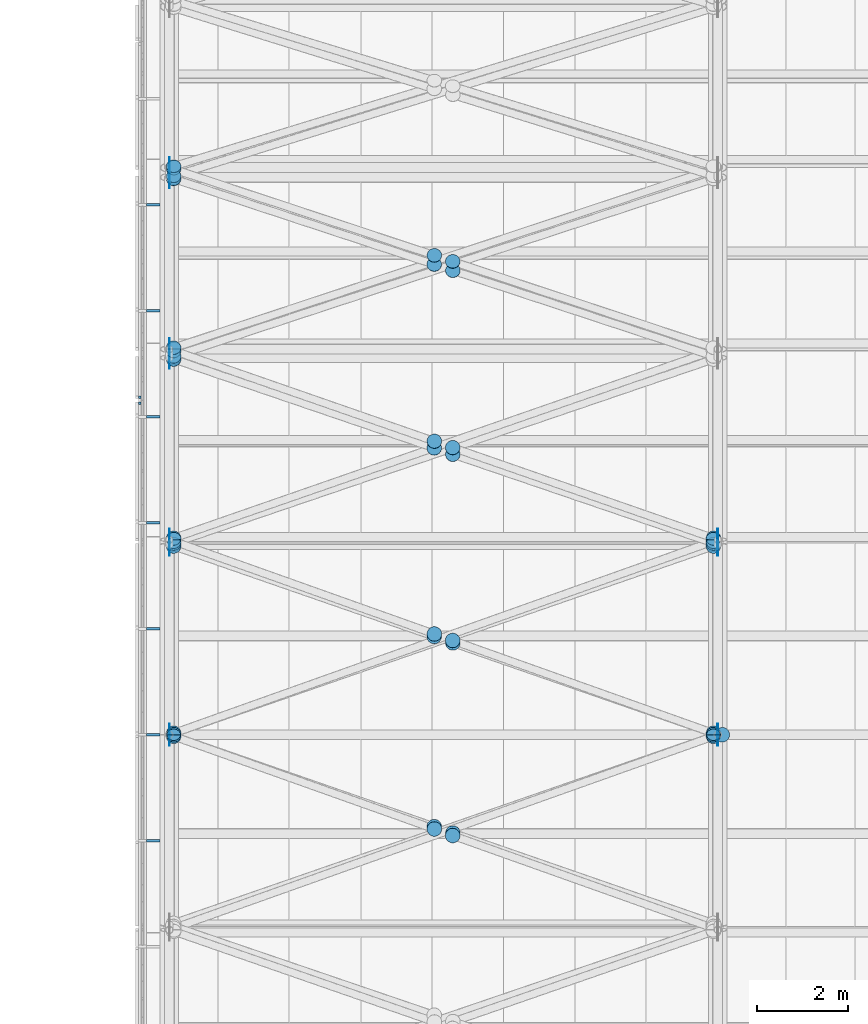
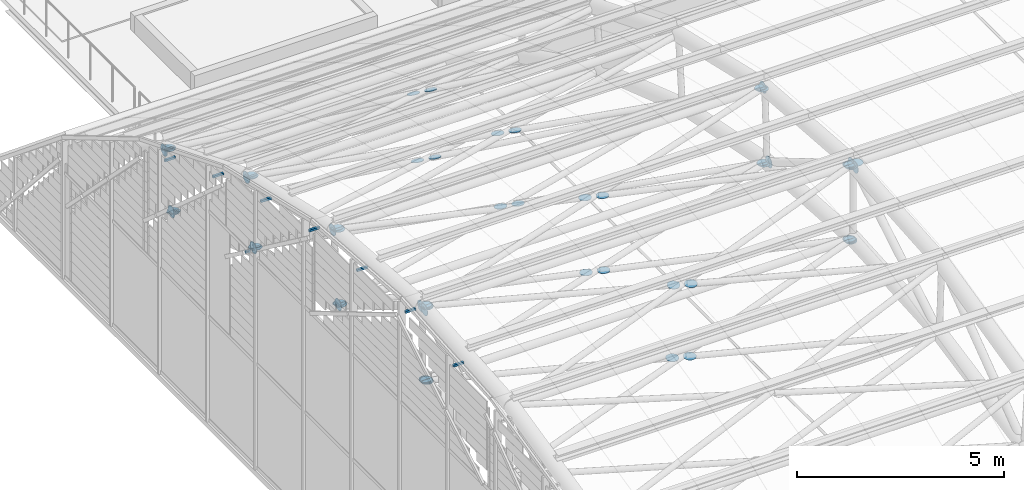
# One storey, part 89 of 110: 74 discrete accessories, 1 element without a shape of its own.
"""IFC4 building model written with IfcOpenShell, lengths in metres."""

from ifc_helpers import new_model, si_unit, direction, frame, origin, origin_2d, place, context, subcontext, project, spatial, rectangle, circle, extrude, material, layer, layer_set, type_object, element, aggregate, save


model = new_model("IFC4")

# Units and contexts
model_context = context("Model", 3, precision=1e-05, world=origin(), true_north=direction((0.0, 1.0)))
body_context = subcontext(model_context, "Body", "Model", "MODEL_VIEW")
ifc_project = project(units=[si_unit("LENGTHUNIT", "METRE"), si_unit("AREAUNIT", "SQUARE_METRE"), si_unit("VOLUMEUNIT", "CUBIC_METRE"), si_unit("PLANEANGLEUNIT", "RADIAN"), si_unit("MASSUNIT", "GRAM", prefix="KILO")], contexts=[model_context])

# Site, building, storey
site_placement = place(None, origin())
site = spatial("IfcSite", under=ifc_project, at=site_placement, CompositionType="ELEMENT")
building_placement = place(site_placement, origin())
building = spatial("IfcBuilding", under=site, at=building_placement, Name="Windward Yard Aquatics Centre", CompositionType="ELEMENT")
storey_placement = place(building_placement, frame((0.0, 0.0, 22.60009765625)))
storey = spatial("IfcBuildingStorey", under=building, at=storey_placement, Name="L05", CompositionType="ELEMENT", Elevation=22.60009765625)

# Discrete accessories
ifc_material_1 = material(Name="Steel S355", Category="steel")
ifc_layer_1 = layer(ifc_material_1, 0.011962890625)
ifc_layer_set_1 = layer_set([ifc_layer_1], Name="Gusset plate 320 mm disc 12 mm")
discrete_accessory_type = type_object("IfcDiscreteAccessoryType", Name="Gusset plate 320 mm disc 12 mm", PredefinedType="USERDEFINED", material=ifc_layer_set_1)
for number, where, z_axis, x_axis, name in (
    (1, (59.993896484375, 60.9140625, 8.74560546875), (1.0, 0.0, 0.0), (0.0, 1.0, 0.0), "Gusset plate"),
    (2, (59.993896484375, 61.0859375, 8.74560546875), (1.0, 0.0, 0.0), (0.0, 1.0, 0.0), "Gusset plate"),
    (3, (59.993896484375, 65.07470703125, 6.374755859375), (1.0, 0.0, 0.0), (0.0, 1.0, 0.0), "Gusset plate"),
    (4, (59.993896484375, 65.3486328125, 8.41015625), (1.0, 0.0, 0.0), (0.0, 1.0, 0.0), "Gusset plate"),
    (5, (59.993896484375, 69.16943359375, 5.568603515625), (1.0, 0.0, 0.0), (0.0, 1.0, 0.0), "Gusset plate"),
    (6, (59.993896484375, 69.51220703125, 7.4306640625), (1.0, 0.0, 0.0), (0.0, 1.0, 0.0), "Gusset plate"),
    (7, (59.993896484375, 73.122314453125, 4.23291015625), (1.0, 0.0, 0.0), (0.0, 1.0, 0.0), "Gusset plate"),
    (8, (59.993896484375, 73.479736328125, 5.8291015625), (1.0, 0.0, 0.0), (0.0, 1.0, 0.0), "Gusset plate"),
    (9, (71.993896484375, 60.9140625, 8.74560546875), (1.0, 0.0, 0.0), (0.0, 1.0, 0.0), "Gusset plate"),
    (10, (71.993896484375, 61.0859375, 8.74560546875), (1.0, 0.0, 0.0), (0.0, 1.0, 0.0), "Gusset plate"),
    (11, (71.993896484375, 65.07470703125, 6.374755859375), (1.0, 0.0, 0.0), (0.0, 1.0, 0.0), "Gusset plate"),
    (12, (71.993896484375, 65.3486328125, 8.41015625), (1.0, 0.0, 0.0), (0.0, 1.0, 0.0), "Gusset plate"),
):
    element("IfcDiscreteAccessory", number, at=place(storey_placement, frame(where, z_axis=z_axis, x_axis=x_axis)), inside=storey, type_object=discrete_accessory_type, Name=name, ObjectType="GUSSET PLATE", PredefinedType="USERDEFINED", context=body_context, shape_type="SweptSolid", body=[
        extrude(circle(Radius=0.159912109375, at=origin_2d()), origin(), (0.0, 0.0, 1.0), 0.01220703125),
    ])
for number, where, z_axis, x_axis, name in (
    (13, (60.10009765625, 61.0, 8.790771484375), (0.0, 0.0, 1.0), (1.0, 0.0, 0.0), "Gusset plate"),
    (14, (71.89990234375, 61.0, 8.790771484375), (0.0, 0.0, 1.0), (1.0, 0.0, 0.0), "Gusset plate"),
    (15, (60.10009765625, 65.2685546875, 8.4638671875), (0.0, 0.0, 1.0), (1.0, 0.0, 0.0), "Gusset plate"),
    (16, (71.89990234375, 65.2685546875, 8.4638671875), (0.0, 0.0, 1.0), (1.0, 0.0, 0.0), "Gusset plate"),
):
    element("IfcDiscreteAccessory", number, at=place(storey_placement, frame(where, z_axis=z_axis, x_axis=x_axis)), inside=storey, type_object=discrete_accessory_type, Name=name, ObjectType="GUSSET PLATE", PredefinedType="USERDEFINED", context=body_context, shape_type="SweptSolid", body=[
        extrude(circle(Radius=0.159912109375, at=origin_2d()), origin(), (0.0, 0.0, 1.0), 0.011962890625),
    ])
discrete_accessory_1_placement = place(storey_placement, frame((60.10009765625, 69.4375, 7.49072265625), z_axis=(0.0, 0.0, 1.0), x_axis=(1.0, 0.0, 0.0)))
element("IfcDiscreteAccessory", 17, at=discrete_accessory_1_placement, inside=storey, type_object=discrete_accessory_type, Name="Gusset plate", ObjectType="GUSSET PLATE", PredefinedType="USERDEFINED", context=body_context, shape_type="SweptSolid", body=[
    extrude(circle(Radius=0.159912109375, at=origin_2d()), origin(), (0.0, 0.0, 1.0), 0.01220703125),
])
for number, where, z_axis, x_axis, name in (
    (18, (60.10009765625, 73.40966796875, 5.89453125), (0.0, 0.0, 1.0), (1.0, 0.0, 0.0), "Gusset plate"),
    (19, (71.90576171875, 60.966064453125, 8.800048828125), (0.0, 0.081362009455, -0.996684615823), (-1.0, 0.0, 0.0), "Gusset plate"),
    (20, (60.09423828125, 60.966064453125, 8.800048828125), (0.0, 0.081362009455, -0.996684615823), (-1.0, 0.0, 0.0), "Gusset plate"),
    (21, (65.79931640625, 58.9365234375, 8.644775390625), (0.0, 0.081362009455, -0.996684615823), (-1.0, 0.0, 0.0), "Gusset plate"),
    (22, (66.20068359375, 58.7939453125, 8.6337890625), (0.0, 0.081362009455, -0.996684615823), (-1.0, 0.0, 0.0), "Gusset plate"),
    (23, (60.09423828125, 61.033935546875, 8.800048828125), (0.0, -0.081362009455, -0.996684615823), (1.0, 0.0, 0.0), "Gusset plate"),
    (24, (71.90576171875, 65.2353515625, 8.478271484375), (0.0, -0.06111006328, -0.998131033565), (1.0, 0.0, 0.0), "Gusset plate"),
    (25, (60.09423828125, 65.2353515625, 8.478271484375), (0.0, -0.06111006328, -0.998131033565), (1.0, 0.0, 0.0), "Gusset plate"),
    (26, (65.79931640625, 63.2060546875, 8.6337890625), (0.0, -0.081362009455, -0.996684615823), (1.0, 0.0, 0.0), "Gusset plate"),
    (27, (66.20068359375, 63.0634765625, 8.644775390625), (0.0, -0.081362009455, -0.996684615823), (1.0, 0.0, 0.0), "Gusset plate"),
    (28, (71.90576171875, 61.033935546875, 8.800048828125), (0.0, -0.081362009455, -0.996684615823), (1.0, 0.0, 0.0), "Gusset plate"),
    (29, (60.09423828125, 65.302490234375, 8.468017578125), (0.0, -0.223376156329, -0.974732318528), (1.0, 0.0, 0.0), "Gusset plate"),
    (30, (60.09423828125, 69.406005859375, 7.51025390625), (0.0, -0.223376156329, -0.974732318528), (1.0, 0.0, 0.0), "Gusset plate"),
    (31, (65.79931640625, 67.424072265625, 7.972900390625), (0.0, -0.223376156329, -0.974732318528), (1.0, 0.0, 0.0), "Gusset plate"),
    (32, (66.20068359375, 67.28466796875, 8.00537109375), (0.0, -0.223376156329, -0.974732318528), (1.0, 0.0, 0.0), "Gusset plate"),
    (33, (71.90576171875, 65.302490234375, 8.468017578125), (0.0, -0.223376156329, -0.974732318528), (1.0, 0.0, 0.0), "Gusset plate"),
):
    element("IfcDiscreteAccessory", number, at=place(storey_placement, frame(where, z_axis=z_axis, x_axis=x_axis)), inside=storey, type_object=discrete_accessory_type, Name=name, ObjectType="GUSSET PLATE", PredefinedType="USERDEFINED", context=body_context, shape_type="SweptSolid", body=[
        extrude(circle(Radius=0.159912109375, at=origin_2d()), origin(), (0.0, 0.0, 1.0), 0.011962890625),
    ])
discrete_accessory_2_placement = place(storey_placement, frame((60.09423828125, 69.470947265625, 7.489990234375), z_axis=(0.0, -0.38176015442, -0.92426142649), x_axis=(1.0, 0.0, 0.0)))
element("IfcDiscreteAccessory", 34, at=discrete_accessory_2_placement, inside=storey, type_object=discrete_accessory_type, Name="Gusset plate", ObjectType="GUSSET PLATE", PredefinedType="USERDEFINED", context=body_context, shape_type="SweptSolid", body=[
    extrude(circle(Radius=0.159912109375, at=origin_2d()), origin(), (0.0, 0.0, 1.0), 0.01220703125),
])
for number, where, z_axis, x_axis, name in (
    (35, (60.09423828125, 73.380615234375, 5.91845703125), (0.0, -0.371390676354, -0.928476690885), (1.0, 0.0, 0.0), "Gusset plate"),
    (36, (65.79931640625, 71.4921875, 6.677490234375), (0.0, -0.371390676354, -0.928476690885), (1.0, 0.0, 0.0), "Gusset plate"),
):
    element("IfcDiscreteAccessory", number, at=place(storey_placement, frame(where, z_axis=z_axis, x_axis=x_axis)), inside=storey, type_object=discrete_accessory_type, Name=name, ObjectType="GUSSET PLATE", PredefinedType="USERDEFINED", context=body_context, shape_type="SweptSolid", body=[
        extrude(circle(Radius=0.159912109375, at=origin_2d()), origin(), (0.0, 0.0, 1.0), 0.01171875),
    ])
for number, where, z_axis, x_axis, name in (
    (37, (66.20068359375, 71.359375, 6.73095703125), (0.0, -0.364399348581, -0.931242779706), (1.0, 0.0, 0.0), "Gusset plate"),
    (38, (60.09423828125, 73.441650390625, 5.888427734375), (0.0, -0.511483859768, -0.85929288441), (1.0, 0.0, 0.0), "Gusset plate"),
    (39, (60.10009765625, 61.0, 6.5908203125), (0.0, 0.0, 1.0), (1.0, 0.0, 0.0), "Gusset plate"),
    (40, (71.89990234375, 61.0, 6.5908203125), (0.0, 0.0, 1.0), (1.0, 0.0, 0.0), "Gusset plate"),
    (41, (60.10009765625, 65.16064453125, 6.317626953125), (0.0, 0.0, 1.0), (1.0, 0.0, 0.0), "Gusset plate"),
    (42, (71.89990234375, 65.16064453125, 6.317626953125), (0.0, 0.0, 1.0), (1.0, 0.0, 0.0), "Gusset plate"),
    (43, (60.10009765625, 69.249755859375, 5.5029296875), (0.0, 0.0, 1.0), (1.0, 0.0, 0.0), "Gusset plate"),
):
    element("IfcDiscreteAccessory", number, at=place(storey_placement, frame(where, z_axis=z_axis, x_axis=x_axis)), inside=storey, type_object=discrete_accessory_type, Name=name, ObjectType="GUSSET PLATE", PredefinedType="USERDEFINED", context=body_context, shape_type="SweptSolid", body=[
        extrude(circle(Radius=0.159912109375, at=origin_2d()), origin(), (0.0, 0.0, 1.0), 0.011962890625),
    ])
discrete_accessory_3_placement = place(storey_placement, frame((60.10009765625, 73.197265625, 4.160400390625), z_axis=(0.0, 0.0, 1.0), x_axis=(1.0, 0.0, 0.0)))
element("IfcDiscreteAccessory", 44, at=discrete_accessory_3_placement, inside=storey, type_object=discrete_accessory_type, Name="Gusset plate", ObjectType="GUSSET PLATE", PredefinedType="USERDEFINED", context=body_context, shape_type="SweptSolid", body=[
    extrude(circle(Radius=0.159912109375, at=origin_2d()), origin(), (0.0, 0.0, 1.0), 0.01220703125),
])
for number, where, z_axis, x_axis, name in (
    (45, (71.905517578125, 60.966796875, 6.6005859375), (0.0, 0.06111006328, -0.998131033565), (-1.0, 0.0, 0.0), "Gusset plate"),
    (46, (60.094482421875, 60.966796875, 6.6005859375), (0.0, 0.06111006328, -0.998131033565), (-1.0, 0.0, 0.0), "Gusset plate"),
    (47, (65.796142578125, 58.989990234375, 6.470703125), (0.0, 0.06111006328, -0.998131033565), (-1.0, 0.0, 0.0), "Gusset plate"),
    (48, (66.203857421875, 58.8486328125, 6.46142578125), (0.0, 0.06111006328, -0.998131033565), (-1.0, 0.0, 0.0), "Gusset plate"),
    (49, (60.094482421875, 61.033203125, 6.6005859375), (0.0, -0.06111006328, -0.998131033565), (1.0, 0.0, 0.0), "Gusset plate"),
    (50, (71.905517578125, 65.128173828125, 6.331787109375), (0.0, -0.06111006328, -0.998131033565), (1.0, 0.0, 0.0), "Gusset plate"),
    (51, (60.094482421875, 65.128173828125, 6.331787109375), (0.0, -0.06111006328, -0.998131033565), (1.0, 0.0, 0.0), "Gusset plate"),
    (52, (65.796142578125, 63.1513671875, 6.46142578125), (0.0, -0.06111006328, -0.998131033565), (1.0, 0.0, 0.0), "Gusset plate"),
    (53, (66.203857421875, 63.010009765625, 6.470703125), (0.0, -0.06111006328, -0.998131033565), (1.0, 0.0, 0.0), "Gusset plate"),
    (54, (71.905517578125, 61.033203125, 6.6005859375), (0.0, -0.06111006328, -0.998131033565), (1.0, 0.0, 0.0), "Gusset plate"),
    (55, (60.094482421875, 65.19384765625, 6.322998046875), (0.0, -0.18428853505, -0.982872186934), (1.0, 0.0, 0.0), "Gusset plate"),
):
    element("IfcDiscreteAccessory", number, at=place(storey_placement, frame(where, z_axis=z_axis, x_axis=x_axis)), inside=storey, type_object=discrete_accessory_type, Name=name, ObjectType="GUSSET PLATE", PredefinedType="USERDEFINED", context=body_context, shape_type="SweptSolid", body=[
        extrude(circle(Radius=0.159912109375, at=origin_2d()), origin(), (0.0, 0.0, 1.0), 0.011962890625),
    ])
discrete_accessory_4_placement = place(storey_placement, frame((60.094482421875, 69.21875, 5.521240234375), z_axis=(0.0, -0.199960011996, -0.97980405878), x_axis=(1.0, 0.0, 0.0)))
element("IfcDiscreteAccessory", 56, at=discrete_accessory_4_placement, inside=storey, type_object=discrete_accessory_type, Name="Gusset plate", ObjectType="GUSSET PLATE", PredefinedType="USERDEFINED", context=body_context, shape_type="SweptSolid", body=[
    extrude(circle(Radius=0.159912109375, at=origin_2d()), origin(), (0.0, 0.0, 1.0), 0.01220703125),
])
discrete_accessory_5_placement = place(storey_placement, frame((65.796142578125, 67.275634765625, 5.908203125), z_axis=(0.0, -0.18428853505, -0.982872186934), x_axis=(1.0, 0.0, 0.0)))
element("IfcDiscreteAccessory", 57, at=discrete_accessory_5_placement, inside=storey, type_object=discrete_accessory_type, Name="Gusset plate", ObjectType="GUSSET PLATE", PredefinedType="USERDEFINED", context=body_context, shape_type="SweptSolid", body=[
    extrude(circle(Radius=0.159912109375, at=origin_2d()), origin(), (0.0, 0.0, 1.0), 0.011962890625),
])
discrete_accessory_6_placement = place(storey_placement, frame((66.203857421875, 67.136962890625, 5.93603515625), z_axis=(0.0, -0.199960011996, -0.97980405878), x_axis=(1.0, 0.0, 0.0)))
element("IfcDiscreteAccessory", 58, at=discrete_accessory_6_placement, inside=storey, type_object=discrete_accessory_type, Name="Gusset plate", ObjectType="GUSSET PLATE", PredefinedType="USERDEFINED", context=body_context, shape_type="SweptSolid", body=[
    extrude(circle(Radius=0.159912109375, at=origin_2d()), origin(), (0.0, 0.0, 1.0), 0.01220703125),
])
for number, where, z_axis, x_axis, name in (
    (59, (71.905517578125, 65.19384765625, 6.322998046875), (0.0, -0.18428853505, -0.982872186934), (1.0, 0.0, 0.0), "Gusset plate"),
    (60, (60.094482421875, 69.28271484375, 5.50390625), (0.0, -0.328520624941, -0.944496796706), (1.0, 0.0, 0.0), "Gusset plate"),
    (61, (60.094482421875, 73.16796875, 4.182861328125), (0.0, -0.304040173793, -0.952659211219), (1.0, 0.0, 0.0), "Gusset plate"),
    (62, (65.796142578125, 71.29248046875, 4.820556640625), (0.0, -0.328520624941, -0.944496796706), (1.0, 0.0, 0.0), "Gusset plate"),
):
    element("IfcDiscreteAccessory", number, at=place(storey_placement, frame(where, z_axis=z_axis, x_axis=x_axis)), inside=storey, type_object=discrete_accessory_type, Name=name, ObjectType="GUSSET PLATE", PredefinedType="USERDEFINED", context=body_context, shape_type="SweptSolid", body=[
        extrude(circle(Radius=0.159912109375, at=origin_2d()), origin(), (0.0, 0.0, 1.0), 0.011962890625),
    ])
for number, where, z_axis, x_axis, name in (
    (63, (66.203857421875, 71.158447265625, 4.8662109375), (0.0, -0.322263797804, -0.94664990605), (1.0, 0.0, 0.0), "Gusset plate"),
    (64, (60.094482421875, 73.229248046875, 4.157470703125), (0.0, -0.439210132005, -0.898384360919), (1.0, 0.0, 0.0), "Gusset plate"),
):
    element("IfcDiscreteAccessory", number, at=place(storey_placement, frame(where, z_axis=z_axis, x_axis=x_axis)), inside=storey, type_object=discrete_accessory_type, Name=name, ObjectType="GUSSET PLATE", PredefinedType="USERDEFINED", context=body_context, shape_type="SweptSolid", body=[
        extrude(circle(Radius=0.159912109375, at=origin_2d()), origin(), (0.0, 0.0, 1.0), 0.01220703125),
    ])
discrete_accessory_7_placement = place(storey_placement, frame((72.10009765625, 61.0, 8.790771484375), z_axis=(0.0, 0.0, 1.0), x_axis=(1.0, 0.0, 0.0)))
element("IfcDiscreteAccessory", 65, at=discrete_accessory_7_placement, inside=storey, type_object=discrete_accessory_type, Name="Gusset plate", ObjectType="GUSSET PLATE", PredefinedType="USERDEFINED", context=body_context, shape_type="SweptSolid", body=[
    extrude(circle(Radius=0.159912109375, at=origin_2d()), origin(), (0.0, 0.0, 1.0), 0.011962890625),
])

# Curtain wall, discrete accessories
ifc_material_2 = material(Name="Glass and aluminium curtain wall", Category="aluminium")
ifc_layer_2 = layer(ifc_material_2, 0.179931640625)
ifc_layer_set_2 = layer_set([ifc_layer_2], Name="H gable glazing system double glazed 8+16+8")
curtain_wall_type = type_object("IfcCurtainWallType", Name="H gable glazing system double glazed 8+16+8", PredefinedType="NOTDEFINED", material=ifc_layer_set_2)
curtain_wall_placement = place(storey_placement, origin())
curtain_wall = element("IfcCurtainWall", 66, at=curtain_wall_placement, inside=storey, type_object=curtain_wall_type, Name="Gable glazing W", PredefinedType="NOTDEFINED")
discrete_accessory_8_placement = place(storey_placement, frame((59.37744140625, 68.25341796875, 6.25), z_axis=(-1.0, 0.0, 0.0), x_axis=(0.0, -1.0, 0.0)))
discrete_accessory_8 = element("IfcDiscreteAccessory", 67, at=discrete_accessory_8_placement, Name="Gable cover strip bracket 7.3", PredefinedType="BRACKET", context=body_context, shape_type="SweptSolid", body=[
    extrude(rectangle(XDim=0.06005859375, YDim=0.06005859375, at=origin_2d()), origin(), (0.0, 0.0, 1.0), 0.057373046875),
])
discrete_accessory_9_placement = place(storey_placement, frame((59.37744140625, 68.3876953125, 6.14990234375), z_axis=(-1.0, 0.0, 0.0), x_axis=(0.0, -1.0, 0.0)))
discrete_accessory_9 = element("IfcDiscreteAccessory", 68, at=discrete_accessory_9_placement, Name="Gable cover strip bracket 7.4", PredefinedType="BRACKET", context=body_context, shape_type="SweptSolid", body=[
    extrude(rectangle(XDim=0.06005859375, YDim=0.06005859375, at=origin_2d()), origin(), (0.0, 0.0, 1.0), 0.057373046875),
])
discrete_accessory_10_placement = place(storey_placement, frame((59.5, 58.6806640625, 8.619140625), z_axis=(1.0, 0.0, 0.0), x_axis=(0.0, 1.0, 0.0)))
discrete_accessory_10 = element("IfcDiscreteAccessory", 69, at=discrete_accessory_10_placement, Name="Gable glazing bracket 9", PredefinedType="BRACKET", context=body_context, shape_type="SweptSolid", body=[
    extrude(rectangle(XDim=0.06005859375, YDim=0.06005859375, at=origin_2d()), origin(), (0.0, 0.0, 1.0), 0.296875),
])
discrete_accessory_11_placement = place(storey_placement, frame((59.5, 61.0, 8.796630859375), z_axis=(1.0, 0.0, 0.0), x_axis=(0.0, 1.0, 0.0)))
discrete_accessory_11 = element("IfcDiscreteAccessory", 70, at=discrete_accessory_11_placement, Name="Gable glazing bracket 10", PredefinedType="BRACKET", context=body_context, shape_type="SweptSolid", body=[
    extrude(rectangle(XDim=0.06005859375, YDim=0.06005859375, at=origin_2d()), origin(), (0.0, 0.0, 1.0), 0.296875),
])
discrete_accessory_12_placement = place(storey_placement, frame((59.5, 63.3193359375, 8.619140625), z_axis=(1.0, 0.0, 0.0), x_axis=(0.0, 1.0, 0.0)))
discrete_accessory_12 = element("IfcDiscreteAccessory", 71, at=discrete_accessory_12_placement, Name="Gable glazing bracket 11", PredefinedType="BRACKET", context=body_context, shape_type="SweptSolid", body=[
    extrude(rectangle(XDim=0.06005859375, YDim=0.06005859375, at=origin_2d()), origin(), (0.0, 0.0, 1.0), 0.296875),
])
discrete_accessory_13_placement = place(storey_placement, frame((59.5, 65.638427734375, 8.383544921875), z_axis=(1.0, 0.0, 0.0), x_axis=(0.0, 1.0, 0.0)))
discrete_accessory_13 = element("IfcDiscreteAccessory", 72, at=discrete_accessory_13_placement, Name="Gable glazing bracket 12", PredefinedType="BRACKET", context=body_context, shape_type="SweptSolid", body=[
    extrude(rectangle(XDim=0.06005859375, YDim=0.06005859375, at=origin_2d()), origin(), (0.0, 0.0, 1.0), 0.296875),
])
discrete_accessory_14_placement = place(storey_placement, frame((59.5, 67.957763671875, 7.84228515625), z_axis=(1.0, 0.0, 0.0), x_axis=(0.0, 1.0, 0.0)))
discrete_accessory_14 = element("IfcDiscreteAccessory", 73, at=discrete_accessory_14_placement, Name="Gable glazing bracket 13", PredefinedType="BRACKET", context=body_context, shape_type="SweptSolid", body=[
    extrude(rectangle(XDim=0.06005859375, YDim=0.06005859375, at=origin_2d()), origin(), (0.0, 0.0, 1.0), 0.296875),
])
discrete_accessory_15_placement = place(storey_placement, frame((59.5, 70.27685546875, 7.159423828125), z_axis=(1.0, 0.0, 0.0), x_axis=(0.0, 1.0, 0.0)))
discrete_accessory_15 = element("IfcDiscreteAccessory", 74, at=discrete_accessory_15_placement, Name="Gable glazing bracket 14", PredefinedType="BRACKET", context=body_context, shape_type="SweptSolid", body=[
    extrude(rectangle(XDim=0.06005859375, YDim=0.06005859375, at=origin_2d()), origin(), (0.0, 0.0, 1.0), 0.296875),
])
discrete_accessory_16_placement = place(storey_placement, frame((59.5, 72.59619140625, 6.227294921875), z_axis=(1.0, 0.0, 0.0), x_axis=(0.0, 1.0, 0.0)))
discrete_accessory_16 = element("IfcDiscreteAccessory", 75, at=discrete_accessory_16_placement, Name="Gable glazing bracket 15", PredefinedType="BRACKET", context=body_context, shape_type="SweptSolid", body=[
    extrude(rectangle(XDim=0.06005859375, YDim=0.06005859375, at=origin_2d()), origin(), (0.0, 0.0, 1.0), 0.296875),
])
aggregate(curtain_wall, [discrete_accessory_8, discrete_accessory_9, discrete_accessory_10, discrete_accessory_11, discrete_accessory_12, discrete_accessory_13, discrete_accessory_14, discrete_accessory_15, discrete_accessory_16])

save(model, "model.ifc")
